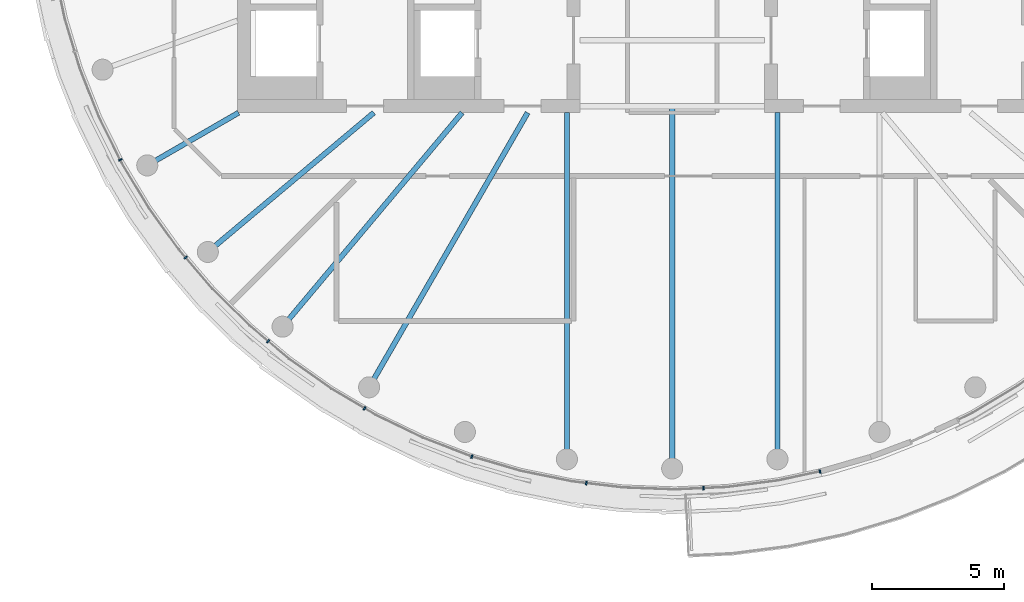
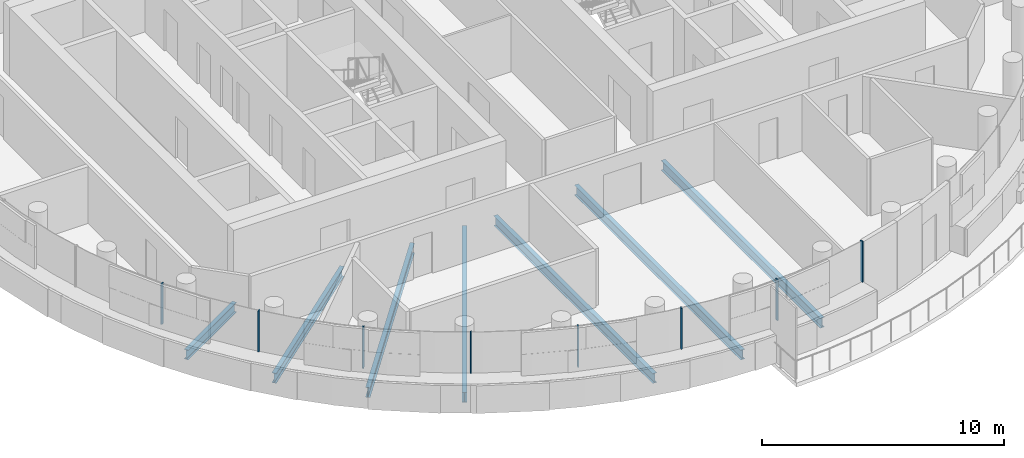
# One storey, part 2 of 21: 8 members, 7 beams, 1 element without a shape of its own.
"""IFC4 building model written with IfcOpenShell, lengths in metres."""

from ifc_helpers import new_model, si_unit, direction, frame, origin, origin_2d, place, context, subcontext, project, spatial, rectangle, i_section, extrude, material, layer, layer_set, material_profile, profile_set, type_object, element, aggregate, save


model = new_model("IFC4")

# Units and contexts
model_context = context("Model", 3, precision=1e-05, world=origin(), true_north=direction((0.0, 1.0)))
body_context = subcontext(model_context, "Body", "Model", "MODEL_VIEW")
ifc_project = project(units=[si_unit("LENGTHUNIT", "METRE"), si_unit("AREAUNIT", "SQUARE_METRE"), si_unit("VOLUMEUNIT", "CUBIC_METRE"), si_unit("PLANEANGLEUNIT", "RADIAN"), si_unit("MASSUNIT", "GRAM", prefix="KILO")], contexts=[model_context])

# Site, building, storey
site_placement = place(None, origin())
site = spatial("IfcSite", under=ifc_project, at=site_placement, CompositionType="ELEMENT")
building_placement = place(site_placement, origin())
building = spatial("IfcBuilding", under=site, at=building_placement, Name="Tamarind Cross Interchange Tower", CompositionType="ELEMENT")
storey_placement = place(building_placement, frame((0.0, 0.0, 267.60009765625)))
storey = spatial("IfcBuildingStorey", under=building, at=storey_placement, Name="L68", CompositionType="ELEMENT", Elevation=267.60009765625)

# Beams
ifc_material_1 = material(Name="Steel Q355B", Category="steel")
ifc_material_profile_1 = material_profile(ifc_material_1, i_section(OverallWidth=0.198974609375, OverallDepth=0.49609375, WebThickness=0.009033203125, FlangeThickness=0.013916015625, FilletRadius=0.012939453125, at=origin_2d()), Name="HN 496x199x9x14")
ifc_profile_set_1 = profile_set([ifc_material_profile_1], Name="Steel Q355B")
beam_type = type_object("IfcBeamType", Name="Composite beam HN 496x199x9x14 Q355B", PredefinedType="BEAM", material=ifc_profile_set_1)
beam_1_placement = place(storey_placement, frame((-19.918701171875, -11.5, -0.38818359375), z_axis=(0.866026010844, 0.49999894854, 0.0), x_axis=(-0.49999894854, 0.866026010844, 0.0)))
element("IfcBeam", 1, at=beam_1_placement, inside=storey, type_object=beam_type, Name="Beam HH21", PredefinedType="BEAM", context=body_context, shape_type="SweptSolid", body=[
    extrude(i_section(OverallWidth=0.198974609375, OverallDepth=0.49609375, WebThickness=0.009033203125, FlangeThickness=0.013916015625, FilletRadius=0.012939453125, at=origin_2d()), origin(), (0.0, 0.0, 1.0), 4.0),
])
beam_2_placement = place(storey_placement, frame((-17.619140625, -14.7841796875, -0.38818359375), z_axis=(0.766040580814, 0.642792212574, 0.0), x_axis=(-0.642792212574, 0.766040580814, 0.0)))
element("IfcBeam", 2, at=beam_2_placement, inside=storey, type_object=beam_type, Name="Beam HH22", PredefinedType="BEAM", context=body_context, shape_type="SweptSolid", body=[
    extrude(i_section(OverallWidth=0.198974609375, OverallDepth=0.49609375, WebThickness=0.009033203125, FlangeThickness=0.013916015625, FilletRadius=0.012939453125, at=origin_2d()), origin(), (0.0, 0.0, 1.0), 8.220703125),
])
beam_3_placement = place(storey_placement, frame((-14.7841796875, -17.619140625, -0.38818359375), z_axis=(0.642786293979, 0.766045547127, 0.0), x_axis=(-0.766045547127, 0.642786293979, 0.0)))
element("IfcBeam", 3, at=beam_3_placement, inside=storey, type_object=beam_type, Name="Beam HH23", PredefinedType="BEAM", context=body_context, shape_type="SweptSolid", body=[
    extrude(i_section(OverallWidth=0.198974609375, OverallDepth=0.49609375, WebThickness=0.009033203125, FlangeThickness=0.013916015625, FilletRadius=0.012939453125, at=origin_2d()), origin(), (0.0, 0.0, 1.0), 10.598876953125),
])
beam_4_placement = place(storey_placement, frame((-11.5, -19.918701171875, -0.38818359375), z_axis=(0.499993565836, 0.866029118519, 0.0), x_axis=(-0.866029118519, 0.499993565836, 0.0)))
element("IfcBeam", 4, at=beam_4_placement, inside=storey, type_object=beam_type, Name="Beam HH24", PredefinedType="BEAM", context=body_context, shape_type="SweptSolid", body=[
    extrude(i_section(OverallWidth=0.198974609375, OverallDepth=0.49609375, WebThickness=0.009033203125, FlangeThickness=0.013916015625, FilletRadius=0.012939453125, at=origin_2d()), origin(), (0.0, 0.0, 1.0), 12.030517578125),
])
beam_5_placement = place(storey_placement, frame((-3.993896484375, -22.650634765625, -0.38818359375), z_axis=(0.0, 1.0, 0.0), x_axis=(-1.0, 0.0, 0.0)))
element("IfcBeam", 5, at=beam_5_placement, inside=storey, type_object=beam_type, Name="Beam HH26", PredefinedType="BEAM", context=body_context, shape_type="SweptSolid", body=[
    extrude(i_section(OverallWidth=0.198974609375, OverallDepth=0.49609375, WebThickness=0.009033203125, FlangeThickness=0.013916015625, FilletRadius=0.012939453125, at=origin_2d()), origin(), (0.0, 0.0, 1.0), 13.150634765625),
])
beam_6_placement = place(storey_placement, frame((0.0, -23.0, -0.38818359375), z_axis=(0.0, 1.0, 0.0), x_axis=(-1.0, 0.0, 0.0)))
element("IfcBeam", 6, at=beam_6_placement, inside=storey, type_object=beam_type, Name="Beam HH27", PredefinedType="BEAM", context=body_context, shape_type="SweptSolid", body=[
    extrude(i_section(OverallWidth=0.198974609375, OverallDepth=0.49609375, WebThickness=0.009033203125, FlangeThickness=0.013916015625, FilletRadius=0.012939453125, at=origin_2d()), origin(), (0.0, 0.0, 1.0), 13.75),
])
beam_7_placement = place(storey_placement, frame((3.993896484375, -22.650634765625, -0.38818359375), z_axis=(0.0, 1.0, 0.0), x_axis=(-1.0, 0.0, 0.0)))
element("IfcBeam", 7, at=beam_7_placement, inside=storey, type_object=beam_type, Name="Beam HH28", PredefinedType="BEAM", context=body_context, shape_type="SweptSolid", body=[
    extrude(i_section(OverallWidth=0.198974609375, OverallDepth=0.49609375, WebThickness=0.009033203125, FlangeThickness=0.013916015625, FilletRadius=0.012939453125, at=origin_2d()), origin(), (0.0, 0.0, 1.0), 13.150634765625),
])

# Curtain wall, members
ifc_material_2 = material(Name="Aluminium 6063-T6", Category="aluminium")
ifc_layer = layer(ifc_material_2, 0.139892578125)
ifc_layer_set = layer_set([ifc_layer], Name="Aluminium 6063-T6")
curtain_wall_type = type_object("IfcCurtainWallType", Name="Hotel curtain wall, 4.5 m bays", PredefinedType="NOTDEFINED", material=ifc_layer_set)
curtain_wall_placement = place(storey_placement, origin())
curtain_wall = element("IfcCurtainWall", 8, at=curtain_wall_placement, inside=storey, type_object=curtain_wall_type, Name="CWS-L68-01", PredefinedType="NOTDEFINED")
ifc_material_profile_2 = material_profile(ifc_material_2, rectangle(XDim=0.06005859375, YDim=0.139892578125, at=origin_2d()), Name="Mullion CW2")
ifc_profile_set_2 = profile_set([ifc_material_profile_2], Name="Aluminium 6063-T6")
member_type = type_object("IfcMemberType", Name="Mullion CW2", PredefinedType="MULLION", material=ifc_profile_set_2)
member_1_placement = place(storey_placement, frame((-20.94140625, -11.288818359375, 1.39990234375), z_axis=(0.0, 0.0, 1.0), x_axis=(0.443058811505, -0.896492548518, 0.0)))
member_1 = element("IfcMember", 9, at=member_1_placement, type_object=member_type, Name="CWM-L68-01-08", PredefinedType="MULLION", context=body_context, shape_type="SweptSolid", body=[
    extrude(rectangle(XDim=0.06005859375, YDim=0.139892578125, at=origin_2d()), origin(), (0.0, 0.0, 1.0), 2.06005859375),
])
member_2_placement = place(storey_placement, frame((-18.460693359375, -14.994384765625, 1.39990234375), z_axis=(0.0, 0.0, 1.0), x_axis=(0.64957723968, -0.760295606781, 0.0)))
member_2 = element("IfcMember", 10, at=member_2_placement, type_object=member_type, Name="CWM-L68-01-09", PredefinedType="MULLION", context=body_context, shape_type="SweptSolid", body=[
    extrude(rectangle(XDim=0.06005859375, YDim=0.139892578125, at=origin_2d()), origin(), (0.0, 0.0, 1.0), 2.06005859375),
])
member_3_placement = place(storey_placement, frame((-15.33203125, -18.171630859375, 1.39990234375), z_axis=(0.0, 0.0, 1.0), x_axis=(0.765858396687, -0.643009266048, 0.0)))
member_3 = element("IfcMember", 11, at=member_3_placement, type_object=member_type, Name="CWM-L68-01-10", PredefinedType="MULLION", context=body_context, shape_type="SweptSolid", body=[
    extrude(rectangle(XDim=0.06005859375, YDim=0.139892578125, at=origin_2d()), origin(), (0.0, 0.0, 1.0), 2.06005859375),
])
member_4_placement = place(storey_placement, frame((-11.67236328125, -20.718505859375, 1.39990234375), z_axis=(0.0, 0.0, 1.0), x_axis=(0.861248933065, -0.508183308752, 0.0)))
member_4 = element("IfcMember", 12, at=member_4_placement, type_object=member_type, Name="CWM-L68-01-11", PredefinedType="MULLION", context=body_context, shape_type="SweptSolid", body=[
    extrude(rectangle(XDim=0.06005859375, YDim=0.139892578125, at=origin_2d()), origin(), (0.0, 0.0, 1.0), 2.06005859375),
])
member_5_placement = place(storey_placement, frame((-7.604736328125, -22.546875, 1.39990234375), z_axis=(0.0, 0.0, 1.0), x_axis=(0.95964657186, -0.281208920763, 0.0)))
member_5 = element("IfcMember", 13, at=member_5_placement, type_object=member_type, Name="CWM-L68-01-12", PredefinedType="MULLION", context=body_context, shape_type="SweptSolid", body=[
    extrude(rectangle(XDim=0.06005859375, YDim=0.139892578125, at=origin_2d()), origin(), (0.0, 0.0, 1.0), 2.06005859375),
])
member_6_placement = place(storey_placement, frame((-3.26025390625, -23.5546875, 1.39990234375), z_axis=(0.0, 0.0, 1.0), x_axis=(0.992843710523, -0.119420963295, 0.0)))
member_6 = element("IfcMember", 14, at=member_6_placement, type_object=member_type, Name="CWM-L68-01-13", PredefinedType="MULLION", context=body_context, shape_type="SweptSolid", body=[
    extrude(rectangle(XDim=0.06005859375, YDim=0.139892578125, at=origin_2d()), origin(), (0.0, 0.0, 1.0), 2.06005859375),
])
member_7_placement = place(storey_placement, frame((1.1943359375, -23.74560546875, 1.39990234375), z_axis=(0.0, 0.0, 1.0), x_axis=(0.998958660912, 0.045624486728, 0.0)))
member_7 = element("IfcMember", 15, at=member_7_placement, type_object=member_type, Name="CWM-L68-01-14", PredefinedType="MULLION", context=body_context, shape_type="SweptSolid", body=[
    extrude(rectangle(XDim=0.06005859375, YDim=0.139892578125, at=origin_2d()), origin(), (0.0, 0.0, 1.0), 2.06005859375),
])
member_8_placement = place(storey_placement, frame((5.6083984375, -23.113525390625, 1.39990234375), z_axis=(0.0, 0.0, 1.0), x_axis=(0.977824623121, 0.209425419705, 0.0)))
member_8 = element("IfcMember", 16, at=member_8_placement, type_object=member_type, Name="CWM-L68-01-15", PredefinedType="MULLION", context=body_context, shape_type="SweptSolid", body=[
    extrude(rectangle(XDim=0.06005859375, YDim=0.139892578125, at=origin_2d()), origin(), (0.0, 0.0, 1.0), 2.06005859375),
])
aggregate(curtain_wall, [member_1, member_2, member_3, member_4, member_5, member_6, member_7, member_8])

save(model, "model.ifc")
